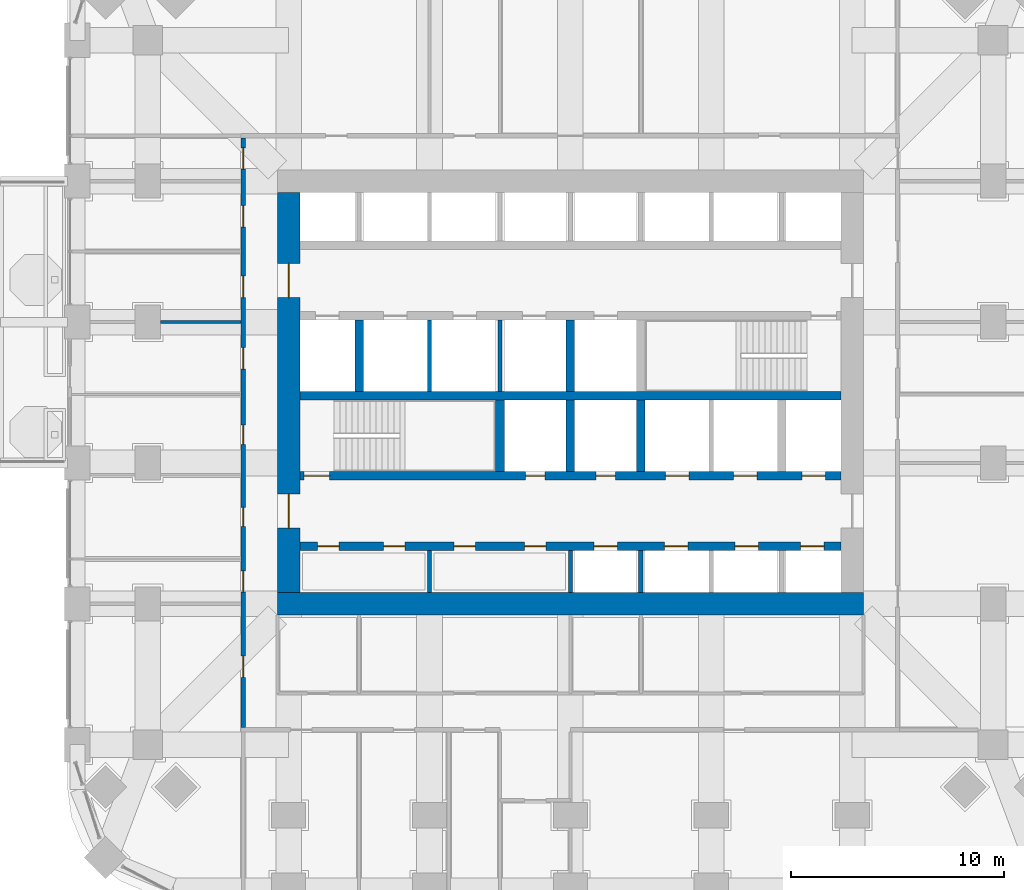
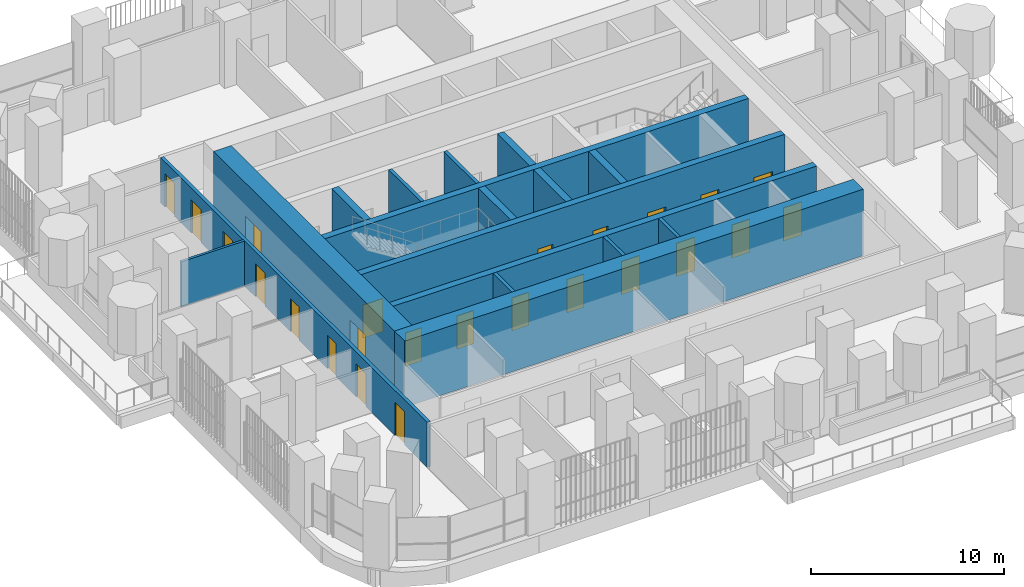
# One storey, part 14 of 21: 24 doors, 17 walls, 24 openings.
"""IFC4 building model written with IfcOpenShell, lengths in metres."""

import ifcopenshell
import ifcopenshell.guid

model = None  # the IFC model being written
_history = None  # IfcOwnerHistory: only IFC2X3 demands one
_inside = {}  # id of a spatial element -> (the spatial element, [elements in it])
_under = {}  # id of a project, library or spatial element -> (it, [spatial elements below it])
_declared = {}  # id of a project -> (the project, [libraries it declares])
_typed = {}  # id of a type object -> (the type object, [elements of that type])
_made_of = {}  # id of a material, layer set ... -> (it, [elements and type objects made of it])


def new_model(schema):
    """Start an empty IFC model of exactly this schema.

    Asked for "IFC4X3", IfcOpenShell would pick the latest addendum, in which some entities
    have other attributes; the version numbers below select the first issue.
    IFC2X3 requires an IfcOwnerHistory on every rooted entity: one is made here for all.
    """
    global model, _history
    if schema == "IFC4X3":
        model = ifcopenshell.file(schema_version=(4, 3, 0, 0))
    else:
        model = ifcopenshell.file(schema=schema)
    _inside.clear()
    _under.clear()
    _declared.clear()
    _typed.clear()
    _made_of.clear()
    _history = None
    if model.schema == "IFC2X3":
        org = make("IfcOrganization", Name="unknown")
        user = make(
            "IfcPersonAndOrganization",
            ThePerson=make("IfcPerson", FamilyName="unknown"),
            TheOrganization=org,
        )
        app = make(
            "IfcApplication",
            ApplicationDeveloper=org,
            Version="unknown",
            ApplicationFullName="unknown",
            ApplicationIdentifier="unknown",
        )
        _history = make(
            "IfcOwnerHistory",
            OwningUser=user,
            OwningApplication=app,
            ChangeAction="ADDED",
            CreationDate=0,
        )
    return model


def make(cls, **values):
    """One entity of the class cls with the attributes given. An attribute that is None is left unset."""
    return model.create_entity(
        cls, **{name: value for name, value in values.items() if value is not None}
    )


def rooted(cls, **values):
    """An entity with a GlobalId (a new one), such as an element, a storey or a relation."""
    return make(cls, GlobalId=ifcopenshell.guid.new(), OwnerHistory=_history, **values)


def si_unit(unit_type, name, prefix=None):
    """IfcSIUnit, for example si_unit("LENGTHUNIT", "METRE", prefix="MILLI")."""
    return make("IfcSIUnit", UnitType=unit_type, Prefix=prefix, Name=name)


def assignment(units):
    """IfcUnitAssignment: the units of a project."""
    return None if units is None else make("IfcUnitAssignment", Units=units)


def point(xyz):
    """IfcCartesianPoint."""
    return None if xyz is None else make("IfcCartesianPoint", Coordinates=xyz)


def direction(xyz):
    """IfcDirection."""
    return None if xyz is None else make("IfcDirection", DirectionRatios=xyz)


def frame(location, z_axis=None, x_axis=None):
    """IfcAxis2Placement3D, a coordinate frame: its origin and axes. An axis left out is left unset."""
    return make(
        "IfcAxis2Placement3D",
        Location=point(location),
        Axis=direction(z_axis),
        RefDirection=direction(x_axis),
    )


def frame_2d(location, x_axis=None):
    """IfcAxis2Placement2D, a coordinate frame in the plane: its origin and x axis."""
    return make(
        "IfcAxis2Placement2D", Location=point(location), RefDirection=direction(x_axis)
    )


def origin():
    """The frame at (0, 0, 0) with its axes left unset."""
    return frame((0.0, 0.0, 0.0))


def place(relative_to, where):
    """IfcLocalPlacement: puts the frame where relative to a parent placement (None: the world)."""
    return make(
        "IfcLocalPlacement", PlacementRelTo=relative_to, RelativePlacement=where
    )


def context(
    kind, dimensions, precision=None, world=None, true_north=None, identifier=None
):
    """IfcGeometricRepresentationContext, for example the 3D "Model" context."""
    return make(
        "IfcGeometricRepresentationContext",
        ContextIdentifier=identifier,
        ContextType=kind,
        CoordinateSpaceDimension=dimensions,
        Precision=precision,
        WorldCoordinateSystem=world,
        TrueNorth=true_north,
    )


def subcontext(parent, identifier, kind, view, scale=None):
    """IfcGeometricRepresentationSubContext, for example "Body" below "Model"."""
    return make(
        "IfcGeometricRepresentationSubContext",
        ContextIdentifier=identifier,
        ContextType=kind,
        ParentContext=parent,
        TargetScale=scale,
        TargetView=view,
    )


def project(units=None, contexts=None):
    """IfcProject with its units and contexts."""
    return rooted(
        "IfcProject",
        Name="project",
        RepresentationContexts=contexts,
        UnitsInContext=assignment(units),
    )


def spatial(cls, under=None, at=None, **own):
    """A site, building, storey or space (cls), placed at a placement, below another one or the project."""
    s = rooted(cls, ObjectPlacement=at, **own)
    if under is not None:
        _under.setdefault(under.id(), (under, []))[1].append(s)
    return s


def profile(cls, at=None, kind="AREA", **sizes):
    """A parametric profile (cls). Its sizes go by their IFC names, for example OverallWidth=200.0."""
    return make(cls, ProfileType=kind, Position=at, **sizes)


def rectangle(**sizes):
    """IfcRectangleProfileDef."""
    return profile("IfcRectangleProfileDef", **sizes)


def extrude(swept, where, along, depth):
    """IfcExtrudedAreaSolid: the profile swept, set in the frame where, extruded along a direction by depth."""
    return make(
        "IfcExtrudedAreaSolid",
        SweptArea=swept,
        Position=where,
        ExtrudedDirection=direction(along),
        Depth=depth,
    )


def shape(context_of_items, identifier, shape_type, items):
    """IfcShapeRepresentation: the items that make up one representation, for example the "Body"."""
    return make(
        "IfcShapeRepresentation",
        ContextOfItems=context_of_items,
        RepresentationIdentifier=identifier,
        RepresentationType=shape_type,
        Items=items,
    )


def material(Name=None, Category=None):
    """IfcMaterial."""
    return make("IfcMaterial", Name=Name, Category=Category)


def layer(
    of_material, thickness, ventilated=None, Name=None, Category=None, Priority=None
):
    """IfcMaterialLayer: one layer of a wall or slab, of a material (None: an air gap)."""
    return make(
        "IfcMaterialLayer",
        Material=of_material,
        LayerThickness=thickness,
        IsVentilated=ventilated,
        Name=Name,
        Category=Category,
        Priority=Priority,
    )


def layer_set(layers, Name=None):
    """IfcMaterialLayerSet."""
    return make("IfcMaterialLayerSet", MaterialLayers=layers, LayerSetName=Name)


def made_of(thing, what):
    """Note that an element or type object is made of a material, layer set ...; save() writes the relation."""
    if what is not None:
        _made_of.setdefault(what.id(), (what, []))[1].append(thing)
    return thing


def type_object(cls, material=None, **own):
    """A type object (cls), such as IfcWallType, which elements share."""
    return made_of(rooted(cls, **own), material)


def element(
    cls,
    number,
    at=None,
    inside=None,
    cuts=None,
    type_object=None,
    material=None,
    context=None,
    identifier="Body",
    shape_type=None,
    held_by="IfcProductDefinitionShape",
    body=None,
    shapes=None,
    **own,
):
    """One element of the class cls, such as IfcWall. Its Tag is "e" and its number.

    at: its placement. inside: the storey or other place that contains it. cuts: it is an
    opening in that element (IfcRelVoidsElement). A single representation is given by context,
    identifier, shape_type and body (its items); several are given by shapes. held_by: the class
    of the entity that holds the representations. save() writes the other relations.
    """
    e = rooted(cls, Tag="e%d" % number, ObjectPlacement=at, **own)
    if body is not None:
        shapes = [shape(context, identifier, shape_type, body)]
    if shapes is not None:
        e.Representation = make(held_by, Representations=shapes)
    if inside is not None:
        _inside.setdefault(inside.id(), (inside, []))[1].append(e)
    if cuts is not None:
        rooted(
            "IfcRelVoidsElement", RelatingBuildingElement=cuts, RelatedOpeningElement=e
        )
    if type_object is not None:
        _typed.setdefault(type_object.id(), (type_object, []))[1].append(e)
    return made_of(e, material)


def fill(opening, filler):
    """IfcRelFillsElement: the door or window that sits in an opening."""
    return rooted(
        "IfcRelFillsElement",
        RelatingOpeningElement=opening,
        RelatedBuildingElement=filler,
    )


def aggregate(whole, parts):
    """IfcRelAggregates: a whole, such as a stair, and the parts it consists of."""
    return rooted("IfcRelAggregates", RelatingObject=whole, RelatedObjects=parts)


def save(model, path):
    """Write the relations noted so far, then the file.

    IfcRelAggregates (storeys below a building ...), IfcRelContainedInSpatialStructure (elements
    in a storey), IfcRelDefinesByType, IfcRelAssociatesMaterial and IfcRelDeclares: one each for
    every whole, place, type object, material and project.
    """
    for whole, parts in _under.values():
        aggregate(whole, parts)
    for where, things in _inside.values():
        rooted(
            "IfcRelContainedInSpatialStructure",
            RelatedElements=things,
            RelatingStructure=where,
        )
    for kind, things in _typed.values():
        rooted("IfcRelDefinesByType", RelatedObjects=things, RelatingType=kind)
    for what, things in _made_of.values():
        rooted("IfcRelAssociatesMaterial", RelatedObjects=things, RelatingMaterial=what)
    for by, libraries in _declared.values():
        rooted("IfcRelDeclares", RelatingContext=by, RelatedDefinitions=libraries)
    model.write(path)


model = new_model("IFC4")

# Units and contexts
model_context = context("Model", 3, precision=1e-05, world=origin(), true_north=direction((0.0, 1.0)))
body_context = subcontext(model_context, "Body", "Model", "MODEL_VIEW")
ifc_project = project(units=[si_unit("LENGTHUNIT", "METRE"), si_unit("AREAUNIT", "SQUARE_METRE"), si_unit("VOLUMEUNIT", "CUBIC_METRE"), si_unit("PLANEANGLEUNIT", "RADIAN"), si_unit("MASSUNIT", "GRAM", prefix="KILO")], contexts=[model_context])

# Site, building, storey
site_placement = place(None, origin())
site = spatial("IfcSite", under=ifc_project, at=site_placement, CompositionType="ELEMENT")
building_placement = place(site_placement, origin())
building = spatial("IfcBuilding", under=site, at=building_placement, Name="Cobogo Forest Laboratory Tower", CompositionType="ELEMENT")
storey_placement = place(building_placement, frame((0.0, 0.0, 86.39990234375)))
storey = spatial("IfcBuildingStorey", under=building, at=storey_placement, Name="L19", CompositionType="ELEMENT", Elevation=86.39990234375)

# Wall, openings, doors
ifc_material_1 = material(Name="Concrete HA-50 (C50/60)", Category="concrete")
ifc_layer_1 = layer(ifc_material_1, 0.39990234375)
ifc_layer_set_1 = layer_set([ifc_layer_1], Name="CI400 core inner wall 400")
wall_type_1 = type_object("IfcWallType", Name="CI400 core inner wall 400", PredefinedType="SHEAR", material=ifc_layer_set_1)
wall_1_placement = place(storey_placement, frame((13.72509765625, 15.89990234375, 0.0), z_axis=(0.0, 0.0, 1.0), x_axis=(1.0, 0.0, 0.0)))
wall_1 = element("IfcWall", 1, at=wall_1_placement, inside=storey, type_object=wall_type_1, Name="Core wall CI-15.9 L19", PredefinedType="SHEAR", context=body_context, shape_type="SweptSolid", body=[
    extrude(rectangle(XDim=25.349853515625, YDim=0.39990234375, at=frame_2d((12.6748046875, 0.0))), origin(), (0.0, 0.0, 1.0), 4.2001953125),
])
opening_1_placement = place(wall_1_placement, frame((0.83740234375, 0.0, 0.0)))
opening_1 = element("IfcOpeningElement", 2, at=opening_1_placement, cuts=wall_1, Name="Opening L19-D14", PredefinedType="OPENING", context=body_context, shape_type="SweptSolid", body=[
    extrude(rectangle(XDim=1.0, YDim=2.10009765625, at=frame_2d((0.5, 1.050048828125))), frame((0.0, 0.2099609375, 0.0), z_axis=(0.0, -1.0, 0.0), x_axis=(1.0, 0.0, 0.0)), (0.0, 0.0, 1.0), 0.419921875),
])
opening_2_placement = place(wall_1_placement, frame((3.925048828125, 0.0, 0.0)))
opening_2 = element("IfcOpeningElement", 3, at=opening_2_placement, cuts=wall_1, Name="Opening L19-D15", PredefinedType="OPENING", context=body_context, shape_type="SweptSolid", body=[
    extrude(rectangle(XDim=1.0, YDim=2.10009765625, at=frame_2d((0.5, 1.050048828125))), frame((0.0, 0.2099609375, 0.0), z_axis=(0.0, -1.0, 0.0), x_axis=(1.0, 0.0, 0.0)), (0.0, 0.0, 1.0), 0.419921875),
])
opening_3_placement = place(wall_1_placement, frame((7.22509765625, 0.0, 0.0)))
opening_3 = element("IfcOpeningElement", 4, at=opening_3_placement, cuts=wall_1, Name="Opening L19-D16", PredefinedType="OPENING", context=body_context, shape_type="SweptSolid", body=[
    extrude(rectangle(XDim=1.0, YDim=2.10009765625, at=frame_2d((0.5, 1.050048828125))), frame((0.0, 0.2099609375, 0.0), z_axis=(0.0, -1.0, 0.0), x_axis=(1.0, 0.0, 0.0)), (0.0, 0.0, 1.0), 0.419921875),
])
opening_4_placement = place(wall_1_placement, frame((10.52490234375, 0.0, 0.0)))
opening_4 = element("IfcOpeningElement", 5, at=opening_4_placement, cuts=wall_1, Name="Opening L19-D17", PredefinedType="OPENING", context=body_context, shape_type="SweptSolid", body=[
    extrude(rectangle(XDim=1.0, YDim=2.10009765625, at=frame_2d((0.5, 1.050048828125))), frame((0.0, 0.2099609375, 0.0), z_axis=(0.0, -1.0, 0.0), x_axis=(1.0, 0.0, 0.0)), (0.0, 0.0, 1.0), 0.419921875),
])
opening_5_placement = place(wall_1_placement, frame((13.77490234375, 0.0, 0.0)))
opening_5 = element("IfcOpeningElement", 6, at=opening_5_placement, cuts=wall_1, Name="Opening L19-LD-LB1", PredefinedType="OPENING", context=body_context, shape_type="SweptSolid", body=[
    extrude(rectangle(XDim=1.10009765625, YDim=2.10009765625, at=frame_2d((0.550048828125, 1.050048828125))), frame((0.0, 0.2099609375, 0.0), z_axis=(0.0, -1.0, 0.0), x_axis=(1.0, 0.0, 0.0)), (0.0, 0.0, 1.0), 0.419921875),
])
opening_6_placement = place(wall_1_placement, frame((17.074951171875, 0.0, 0.0)))
opening_6 = element("IfcOpeningElement", 7, at=opening_6_placement, cuts=wall_1, Name="Opening L19-LD-LB2", PredefinedType="OPENING", context=body_context, shape_type="SweptSolid", body=[
    extrude(rectangle(XDim=1.10009765625, YDim=2.10009765625, at=frame_2d((0.550048828125, 1.050048828125))), frame((0.0, 0.2099609375, 0.0), z_axis=(0.0, -1.0, 0.0), x_axis=(1.0, 0.0, 0.0)), (0.0, 0.0, 1.0), 0.419921875),
])
opening_7_placement = place(wall_1_placement, frame((20.375, 0.0, 0.0)))
opening_7 = element("IfcOpeningElement", 8, at=opening_7_placement, cuts=wall_1, Name="Opening L19-LD-LB3", PredefinedType="OPENING", context=body_context, shape_type="SweptSolid", body=[
    extrude(rectangle(XDim=1.10009765625, YDim=2.10009765625, at=frame_2d((0.550048828125, 1.050048828125))), frame((0.0, 0.2099609375, 0.0), z_axis=(0.0, -1.0, 0.0), x_axis=(1.0, 0.0, 0.0)), (0.0, 0.0, 1.0), 0.419921875),
])
opening_8_placement = place(wall_1_placement, frame((23.46240234375, 0.0, 0.0)))
opening_8 = element("IfcOpeningElement", 9, at=opening_8_placement, cuts=wall_1, Name="Opening L19-LD-LB4", PredefinedType="OPENING", context=body_context, shape_type="SweptSolid", body=[
    extrude(rectangle(XDim=1.10009765625, YDim=2.10009765625, at=frame_2d((0.550048828125, 1.050048828125))), frame((0.0, 0.2099609375, 0.0), z_axis=(0.0, -1.0, 0.0), x_axis=(1.0, 0.0, 0.0)), (0.0, 0.0, 1.0), 0.419921875),
])
ifc_material_2 = material(Name="Steel fire door", Category="steel")
door_type_1 = type_object("IfcDoorType", Name="FD1 fire door 1000 EI2 60", OperationType="SINGLE_SWING_LEFT", PredefinedType="DOOR", material=ifc_material_2)
door_1_placement = place(opening_1_placement, origin())
door_1 = element("IfcDoor", 10, at=door_1_placement, inside=storey, type_object=door_type_1, Name="Door L19-SH-LA1", OperationType="SINGLE_SWING_LEFT", OverallHeight=2.10009765625, OverallWidth=1.0, PredefinedType="DOOR", context=body_context, shape_type="SweptSolid", body=[
    extrude(rectangle(XDim=1.0, YDim=2.10009765625, at=frame_2d((0.5, 1.050048828125))), frame((0.0, 0.02490234375, 0.0), z_axis=(0.0, -1.0, 0.0), x_axis=(1.0, 0.0, 0.0)), (0.0, 0.0, 1.0), 0.050048828125),
])
fill(opening_1, door_1)
door_2_placement = place(opening_2_placement, origin())
door_2 = element("IfcDoor", 11, at=door_2_placement, inside=storey, type_object=door_type_1, Name="Door L19-SH-LA2", OperationType="SINGLE_SWING_LEFT", OverallHeight=2.10009765625, OverallWidth=1.0, PredefinedType="DOOR", context=body_context, shape_type="SweptSolid", body=[
    extrude(rectangle(XDim=1.0, YDim=2.10009765625, at=frame_2d((0.5, 1.050048828125))), frame((0.0, 0.02490234375, 0.0), z_axis=(0.0, -1.0, 0.0), x_axis=(1.0, 0.0, 0.0)), (0.0, 0.0, 1.0), 0.050048828125),
])
fill(opening_2, door_2)
door_3_placement = place(opening_3_placement, origin())
door_3 = element("IfcDoor", 12, at=door_3_placement, inside=storey, type_object=door_type_1, Name="Door L19-SH-LA3", OperationType="SINGLE_SWING_LEFT", OverallHeight=2.10009765625, OverallWidth=1.0, PredefinedType="DOOR", context=body_context, shape_type="SweptSolid", body=[
    extrude(rectangle(XDim=1.0, YDim=2.10009765625, at=frame_2d((0.5, 1.050048828125))), frame((0.0, 0.02490234375, 0.0), z_axis=(0.0, -1.0, 0.0), x_axis=(1.0, 0.0, 0.0)), (0.0, 0.0, 1.0), 0.050048828125),
])
fill(opening_3, door_3)
door_4_placement = place(opening_4_placement, origin())
door_4 = element("IfcDoor", 13, at=door_4_placement, inside=storey, type_object=door_type_1, Name="Door L19-SH-LA4", OperationType="SINGLE_SWING_LEFT", OverallHeight=2.10009765625, OverallWidth=1.0, PredefinedType="DOOR", context=body_context, shape_type="SweptSolid", body=[
    extrude(rectangle(XDim=1.0, YDim=2.10009765625, at=frame_2d((0.5, 1.050048828125))), frame((0.0, 0.02490234375, 0.0), z_axis=(0.0, -1.0, 0.0), x_axis=(1.0, 0.0, 0.0)), (0.0, 0.0, 1.0), 0.050048828125),
])
fill(opening_4, door_4)
ifc_material_3 = material(Name="Stainless steel lift door", Category="steel")
door_type_2 = type_object("IfcDoorType", Name="LD lift landing door 1100", OperationType="DOUBLE_DOOR_SLIDING", PredefinedType="DOOR", material=ifc_material_3)
door_5_placement = place(opening_5_placement, origin())
door_5 = element("IfcDoor", 14, at=door_5_placement, inside=storey, type_object=door_type_2, Name="Lift landing door LB1 L19", OperationType="DOUBLE_DOOR_SLIDING", OverallHeight=2.10009765625, OverallWidth=1.10009765625, PredefinedType="DOOR", context=body_context, shape_type="SweptSolid", body=[
    extrude(rectangle(XDim=1.10009765625, YDim=2.10009765625, at=frame_2d((0.550048828125, 1.050048828125))), frame((0.0, 0.02490234375, 0.0), z_axis=(0.0, -1.0, 0.0), x_axis=(1.0, 0.0, 0.0)), (0.0, 0.0, 1.0), 0.050048828125),
])
fill(opening_5, door_5)
door_6_placement = place(opening_6_placement, origin())
door_6 = element("IfcDoor", 15, at=door_6_placement, inside=storey, type_object=door_type_2, Name="Lift landing door LB2 L19", OperationType="DOUBLE_DOOR_SLIDING", OverallHeight=2.10009765625, OverallWidth=1.10009765625, PredefinedType="DOOR", context=body_context, shape_type="SweptSolid", body=[
    extrude(rectangle(XDim=1.10009765625, YDim=2.10009765625, at=frame_2d((0.550048828125, 1.050048828125))), frame((0.0, 0.02490234375, 0.0), z_axis=(0.0, -1.0, 0.0), x_axis=(1.0, 0.0, 0.0)), (0.0, 0.0, 1.0), 0.050048828125),
])
fill(opening_6, door_6)
door_7_placement = place(opening_7_placement, origin())
door_7 = element("IfcDoor", 16, at=door_7_placement, inside=storey, type_object=door_type_2, Name="Lift landing door LB3 L19", OperationType="DOUBLE_DOOR_SLIDING", OverallHeight=2.10009765625, OverallWidth=1.10009765625, PredefinedType="DOOR", context=body_context, shape_type="SweptSolid", body=[
    extrude(rectangle(XDim=1.10009765625, YDim=2.10009765625, at=frame_2d((0.550048828125, 1.050048828125))), frame((0.0, 0.02490234375, 0.0), z_axis=(0.0, -1.0, 0.0), x_axis=(1.0, 0.0, 0.0)), (0.0, 0.0, 1.0), 0.050048828125),
])
fill(opening_7, door_7)
door_8_placement = place(opening_8_placement, origin())
door_8 = element("IfcDoor", 17, at=door_8_placement, inside=storey, type_object=door_type_2, Name="Lift landing door LB4 L19", OperationType="DOUBLE_DOOR_SLIDING", OverallHeight=2.10009765625, OverallWidth=1.10009765625, PredefinedType="DOOR", context=body_context, shape_type="SweptSolid", body=[
    extrude(rectangle(XDim=1.10009765625, YDim=2.10009765625, at=frame_2d((0.550048828125, 1.050048828125))), frame((0.0, 0.02490234375, 0.0), z_axis=(0.0, -1.0, 0.0), x_axis=(1.0, 0.0, 0.0)), (0.0, 0.0, 1.0), 0.050048828125),
])
fill(opening_8, door_8)

wall_2_placement = place(storey_placement, frame((13.72509765625, 19.199951171875, 0.0), z_axis=(0.0, 0.0, 1.0), x_axis=(1.0, 0.0, 0.0)))
wall_2 = element("IfcWall", 18, at=wall_2_placement, inside=storey, type_object=wall_type_1, Name="Core wall CI-19.2 L19", PredefinedType="SHEAR", context=body_context, shape_type="SweptSolid", body=[
    extrude(rectangle(XDim=25.349853515625, YDim=0.39990234375, at=frame_2d((12.6748046875, 0.0))), origin(), (0.0, 0.0, 1.0), 4.2001953125),
])
opening_9_placement = place(wall_2_placement, frame((10.574951171875, 0.0, 0.0)))
opening_9 = element("IfcOpeningElement", 19, at=opening_9_placement, cuts=wall_2, Name="Opening L19-D22", PredefinedType="OPENING", context=body_context, shape_type="SweptSolid", body=[
    extrude(rectangle(XDim=0.89990234375, YDim=2.10009765625, at=frame_2d((0.449951171875, 1.050048828125))), frame((0.0, 0.2099609375, 0.0), z_axis=(0.0, -1.0, 0.0), x_axis=(1.0, 0.0, 0.0)), (0.0, 0.0, 1.0), 0.419921875),
])
opening_10_placement = place(wall_2_placement, frame((13.875, 0.0, 0.0)))
opening_10 = element("IfcOpeningElement", 20, at=opening_10_placement, cuts=wall_2, Name="Opening L19-D23", PredefinedType="OPENING", context=body_context, shape_type="SweptSolid", body=[
    extrude(rectangle(XDim=0.89990234375, YDim=2.10009765625, at=frame_2d((0.449951171875, 1.050048828125))), frame((0.0, 0.2099609375, 0.0), z_axis=(0.0, -1.0, 0.0), x_axis=(1.0, 0.0, 0.0)), (0.0, 0.0, 1.0), 0.419921875),
])
opening_11_placement = place(wall_2_placement, frame((0.199951171875, 0.0, 0.0)))
opening_11 = element("IfcOpeningElement", 21, at=opening_11_placement, cuts=wall_2, Name="Opening L19-D21", PredefinedType="OPENING", context=body_context, shape_type="SweptSolid", body=[
    extrude(rectangle(XDim=1.199951171875, YDim=2.10009765625, at=frame_2d((0.60009765625, 1.050048828125))), frame((0.0, 0.2099609375, 0.0), z_axis=(0.0, -1.0, 0.0), x_axis=(1.0, 0.0, 0.0)), (0.0, 0.0, 1.0), 0.419921875),
])
opening_12_placement = place(wall_2_placement, frame((23.512451171875, 0.0, 0.0)))
opening_12 = element("IfcOpeningElement", 22, at=opening_12_placement, cuts=wall_2, Name="Opening L19-LD-FL2", PredefinedType="OPENING", context=body_context, shape_type="SweptSolid", body=[
    extrude(rectangle(XDim=1.10009765625, YDim=2.10009765625, at=frame_2d((0.550048828125, 1.050048828125))), frame((0.0, 0.2099609375, 0.0), z_axis=(0.0, -1.0, 0.0), x_axis=(1.0, 0.0, 0.0)), (0.0, 0.0, 1.0), 0.419921875),
])
opening_13_placement = place(wall_2_placement, frame((17.125, 0.0, 0.0)))
opening_13 = element("IfcOpeningElement", 23, at=opening_13_placement, cuts=wall_2, Name="Opening L19-LD-LS1", PredefinedType="OPENING", context=body_context, shape_type="SweptSolid", body=[
    extrude(rectangle(XDim=1.10009765625, YDim=2.10009765625, at=frame_2d((0.550048828125, 1.050048828125))), frame((0.0, 0.2099609375, 0.0), z_axis=(0.0, -1.0, 0.0), x_axis=(1.0, 0.0, 0.0)), (0.0, 0.0, 1.0), 0.419921875),
])
opening_14_placement = place(wall_2_placement, frame((20.324951171875, 0.0, 0.0)))
opening_14 = element("IfcOpeningElement", 24, at=opening_14_placement, cuts=wall_2, Name="Opening L19-LD-LS2", PredefinedType="OPENING", context=body_context, shape_type="SweptSolid", body=[
    extrude(rectangle(XDim=1.10009765625, YDim=2.10009765625, at=frame_2d((0.550048828125, 1.050048828125))), frame((0.0, 0.2099609375, 0.0), z_axis=(0.0, -1.0, 0.0), x_axis=(1.0, 0.0, 0.0)), (0.0, 0.0, 1.0), 0.419921875),
])
door_type_3 = type_object("IfcDoorType", Name="DS1 protected stair door 1200 EI2 60", OperationType="SINGLE_SWING_LEFT", PredefinedType="DOOR", material=ifc_material_2)
door_9_placement = place(opening_11_placement, origin())
door_9 = element("IfcDoor", 25, at=door_9_placement, inside=storey, type_object=door_type_3, Name="Door L19-ST1", OperationType="SINGLE_SWING_LEFT", OverallHeight=2.10009765625, OverallWidth=1.199951171875, PredefinedType="DOOR", context=body_context, shape_type="SweptSolid", body=[
    extrude(rectangle(XDim=1.199951171875, YDim=2.10009765625, at=frame_2d((0.60009765625, 1.050048828125))), frame((0.0, 0.02490234375, 0.0), z_axis=(0.0, -1.0, 0.0), x_axis=(1.0, 0.0, 0.0)), (0.0, 0.0, 1.0), 0.050048828125),
])
fill(opening_11, door_9)
door_type_4 = type_object("IfcDoorType", Name="FD4 riser access door 900 EI2 60", OperationType="SINGLE_SWING_LEFT", PredefinedType="DOOR", material=ifc_material_2)
door_10_placement = place(opening_9_placement, origin())
door_10 = element("IfcDoor", 26, at=door_10_placement, inside=storey, type_object=door_type_4, Name="Door L19-R1", OperationType="SINGLE_SWING_LEFT", OverallHeight=2.10009765625, OverallWidth=0.89990234375, PredefinedType="DOOR", context=body_context, shape_type="SweptSolid", body=[
    extrude(rectangle(XDim=0.89990234375, YDim=2.10009765625, at=frame_2d((0.449951171875, 1.050048828125))), frame((0.0, 0.02490234375, 0.0), z_axis=(0.0, -1.0, 0.0), x_axis=(1.0, 0.0, 0.0)), (0.0, 0.0, 1.0), 0.050048828125),
])
fill(opening_9, door_10)
door_11_placement = place(opening_10_placement, origin())
door_11 = element("IfcDoor", 27, at=door_11_placement, inside=storey, type_object=door_type_4, Name="Door L19-R2", OperationType="SINGLE_SWING_RIGHT", OverallHeight=2.10009765625, OverallWidth=0.89990234375, PredefinedType="DOOR", context=body_context, shape_type="SweptSolid", body=[
    extrude(rectangle(XDim=0.89990234375, YDim=2.10009765625, at=frame_2d((0.449951171875, 1.050048828125))), frame((0.0, 0.02490234375, 0.0), z_axis=(0.0, -1.0, 0.0), x_axis=(1.0, 0.0, 0.0)), (0.0, 0.0, 1.0), 0.050048828125),
])
fill(opening_10, door_11)
door_12_placement = place(opening_12_placement, origin())
door_12 = element("IfcDoor", 28, at=door_12_placement, inside=storey, type_object=door_type_2, Name="Lift landing door FL2 L19", OperationType="DOUBLE_DOOR_SLIDING", OverallHeight=2.10009765625, OverallWidth=1.10009765625, PredefinedType="DOOR", context=body_context, shape_type="SweptSolid", body=[
    extrude(rectangle(XDim=1.10009765625, YDim=2.10009765625, at=frame_2d((0.550048828125, 1.050048828125))), frame((0.0, 0.02490234375, 0.0), z_axis=(0.0, -1.0, 0.0), x_axis=(1.0, 0.0, 0.0)), (0.0, 0.0, 1.0), 0.050048828125),
])
fill(opening_12, door_12)
door_13_placement = place(opening_13_placement, origin())
door_13 = element("IfcDoor", 29, at=door_13_placement, inside=storey, type_object=door_type_2, Name="Lift landing door LS1 L19", OperationType="DOUBLE_DOOR_SLIDING", OverallHeight=2.10009765625, OverallWidth=1.10009765625, PredefinedType="DOOR", context=body_context, shape_type="SweptSolid", body=[
    extrude(rectangle(XDim=1.10009765625, YDim=2.10009765625, at=frame_2d((0.550048828125, 1.050048828125))), frame((0.0, 0.02490234375, 0.0), z_axis=(0.0, -1.0, 0.0), x_axis=(1.0, 0.0, 0.0)), (0.0, 0.0, 1.0), 0.050048828125),
])
fill(opening_13, door_13)
door_14_placement = place(opening_14_placement, origin())
door_14 = element("IfcDoor", 30, at=door_14_placement, inside=storey, type_object=door_type_2, Name="Lift landing door LS2 L19", OperationType="DOUBLE_DOOR_SLIDING", OverallHeight=2.10009765625, OverallWidth=1.10009765625, PredefinedType="DOOR", context=body_context, shape_type="SweptSolid", body=[
    extrude(rectangle(XDim=1.10009765625, YDim=2.10009765625, at=frame_2d((0.550048828125, 1.050048828125))), frame((0.0, 0.02490234375, 0.0), z_axis=(0.0, -1.0, 0.0), x_axis=(1.0, 0.0, 0.0)), (0.0, 0.0, 1.0), 0.050048828125),
])
fill(opening_14, door_14)

# Walls
wall_3_placement = place(storey_placement, frame((13.72509765625, 22.949951171875, 0.0), z_axis=(0.0, 0.0, 1.0), x_axis=(1.0, 0.0, 0.0)))
element("IfcWall", 31, at=wall_3_placement, inside=storey, type_object=wall_type_1, Name="Core wall CI-22.95 L19", PredefinedType="SHEAR", context=body_context, shape_type="SweptSolid", body=[
    extrude(rectangle(XDim=25.349853515625, YDim=0.39990234375, at=frame_2d((12.6748046875, 0.0))), origin(), (0.0, 0.0, 1.0), 4.2001953125),
])
for number, where, z_axis, x_axis, name in (
    (32, (23.10009765625, 19.39990234375, 0.0), (0.0, 0.0, 1.0), (0.0, 1.0, 0.0), "Core wall CX-23.1 L19"),
    (33, (26.39990234375, 19.39990234375, 0.0), (0.0, 0.0, 1.0), (0.0, 1.0, 0.0), "Core wall CX-26.4S L19"),
    (34, (29.699951171875, 19.39990234375, 0.0), (0.0, 0.0, 1.0), (0.0, 1.0, 0.0), "Core wall CX-29.7S L19"),
    (35, (16.5, 23.14990234375, 0.0), (0.0, 0.0, 1.0), (0.0, 1.0, 0.0), "Core wall CX-16.5 L19"),
    (36, (26.39990234375, 23.14990234375, 0.0), (0.0, 0.0, 1.0), (0.0, 1.0, 0.0), "Core wall CX-26.4N L19"),
):
    element("IfcWall", number, at=place(storey_placement, frame(where, z_axis=z_axis, x_axis=x_axis)), inside=storey, type_object=wall_type_1, Name=name, PredefinedType="SHEAR", context=body_context, shape_type="SweptSolid", body=[
        extrude(rectangle(XDim=3.35009765625, YDim=0.39990234375, at=frame_2d((1.675048828125, 0.0))), origin(), (0.0, 0.0, 1.0), 4.2001953125),
    ])
ifc_layer_2 = layer(ifc_material_1, 1.050048828125)
ifc_layer_set_2 = layer_set([ifc_layer_2], Name="CW1050 core outer wall 1050")
wall_type_2 = type_object("IfcWallType", Name="CW1050 core outer wall 1050", PredefinedType="SHEAR", material=ifc_layer_set_2)
wall_4_placement = place(storey_placement, frame((12.675048828125, 13.199951171875, 0.0), z_axis=(0.0, 0.0, 1.0), x_axis=(1.0, 0.0, 0.0)))
element("IfcWall", 37, at=wall_4_placement, inside=storey, type_object=wall_type_2, Name="Core wall CO-S L19", PredefinedType="SHEAR", context=body_context, shape_type="SweptSolid", body=[
    extrude(rectangle(XDim=27.449951171875, YDim=1.050048828125, at=frame_2d((13.72509765625, 0.0))), origin(), (0.0, 0.0, 1.0), 4.2001953125),
])

# Wall, openings, doors
wall_5_placement = place(storey_placement, frame((13.199951171875, 32.47509765625, 0.0), z_axis=(0.0, 0.0, 1.0), x_axis=(0.0, -1.0, 0.0)))
wall_5 = element("IfcWall", 38, at=wall_5_placement, inside=storey, type_object=wall_type_2, Name="Core wall CO-W L19", PredefinedType="SHEAR", context=body_context, shape_type="SweptSolid", body=[
    extrude(rectangle(XDim=18.75, YDim=1.050048828125, at=frame_2d((9.375, 0.0))), origin(), (0.0, 0.0, 1.0), 4.2001953125),
])
opening_15_placement = place(wall_5_placement, frame((14.125, 0.0, 0.0)))
opening_15 = element("IfcOpeningElement", 39, at=opening_15_placement, cuts=wall_5, Name="Opening L19-D19", PredefinedType="OPENING", context=body_context, shape_type="SweptSolid", body=[
    extrude(rectangle(XDim=1.60009765625, YDim=2.10009765625, at=frame_2d((0.800048828125, 1.050048828125))), frame((0.0, 0.534912109375, 0.0), z_axis=(0.0, -1.0, 0.0), x_axis=(1.0, 0.0, 0.0)), (0.0, 0.0, 1.0), 1.070068359375),
])
opening_16_placement = place(wall_5_placement, frame((3.324951171875, 0.0, 0.0)))
opening_16 = element("IfcOpeningElement", 40, at=opening_16_placement, cuts=wall_5, Name="Opening L19-D32", PredefinedType="OPENING", context=body_context, shape_type="SweptSolid", body=[
    extrude(rectangle(XDim=1.60009765625, YDim=2.10009765625, at=frame_2d((0.800048828125, 1.050048828125))), frame((0.0, 0.534912109375, 0.0), z_axis=(0.0, -1.0, 0.0), x_axis=(1.0, 0.0, 0.0)), (0.0, 0.0, 1.0), 1.070068359375),
])
door_type_5 = type_object("IfcDoorType", Name="DS2 protected lobby door pair 1600 EI2 60", OperationType="DOUBLE_DOOR_DOUBLE_SWING", PredefinedType="DOOR", material=ifc_material_2)
door_15_placement = place(opening_15_placement, origin())
door_15 = element("IfcDoor", 41, at=door_15_placement, inside=storey, type_object=door_type_5, Name="Door L19-CO-W-S", OperationType="DOUBLE_DOOR_DOUBLE_SWING", OverallHeight=2.10009765625, OverallWidth=1.60009765625, PredefinedType="DOOR", context=body_context, shape_type="SweptSolid", body=[
    extrude(rectangle(XDim=1.60009765625, YDim=2.10009765625, at=frame_2d((0.800048828125, 1.050048828125))), frame((0.0, 0.02490234375, 0.0), z_axis=(0.0, -1.0, 0.0), x_axis=(1.0, 0.0, 0.0)), (0.0, 0.0, 1.0), 0.050048828125),
])
fill(opening_15, door_15)
door_16_placement = place(opening_16_placement, origin())
door_16 = element("IfcDoor", 42, at=door_16_placement, inside=storey, type_object=door_type_5, Name="Door L19-CO-W-N", OperationType="DOUBLE_DOOR_DOUBLE_SWING", OverallHeight=2.10009765625, OverallWidth=1.60009765625, PredefinedType="DOOR", context=body_context, shape_type="SweptSolid", body=[
    extrude(rectangle(XDim=1.60009765625, YDim=2.10009765625, at=frame_2d((0.800048828125, 1.050048828125))), frame((0.0, 0.02490234375, 0.0), z_axis=(0.0, -1.0, 0.0), x_axis=(1.0, 0.0, 0.0)), (0.0, 0.0, 1.0), 0.050048828125),
])
fill(opening_16, door_16)

# Wall
ifc_material_4 = material(Name="Gypsum board on steel studs", Category="steel")
ifc_layer_3 = layer(ifc_material_4, 0.14990234375)
ifc_layer_set_3 = layer_set([ifc_layer_3], Name="PT1 laboratory partition 150")
wall_type_3 = type_object("IfcWallType", Name="PT1 laboratory partition 150", PredefinedType="PARTITIONING", material=ifc_layer_set_3)
wall_6_placement = place(storey_placement, frame((7.199951171875, 26.39990234375, 0.0), z_axis=(0.0, 0.0, 1.0), x_axis=(1.0, 0.0, 0.0)))
element("IfcWall", 43, at=wall_6_placement, inside=storey, type_object=wall_type_3, Name="Partition CUT-W26.4-2 L19", PredefinedType="PARTITIONING", context=body_context, shape_type="SweptSolid", body=[
    extrude(rectangle(XDim=3.775146484375, YDim=0.14990234375, at=frame_2d((1.8876953125, 0.0))), origin(), (0.0, 0.0, 1.0), 2.85009765625),
])

# Wall, openings, doors
ifc_layer_4 = layer(ifc_material_4, 0.199951171875)
ifc_layer_set_4 = layer_set([ifc_layer_4], Name="PT2 fire-rated corridor partition 200")
wall_type_4 = type_object("IfcWallType", Name="PT2 fire-rated corridor partition 200", PredefinedType="PARTITIONING", material=ifc_layer_set_4)
wall_7_placement = place(storey_placement, frame((11.074951171875, 7.39990234375, 0.0), z_axis=(0.0, 0.0, 1.0), x_axis=(0.0, 1.0, 0.0)))
wall_7 = element("IfcWall", 44, at=wall_7_placement, inside=storey, type_object=wall_type_4, Name="Partition CORR-W L19", PredefinedType="PARTITIONING", context=body_context, shape_type="SweptSolid", body=[
    extrude(rectangle(XDim=27.625, YDim=0.199951171875, at=frame_2d((13.8125, 0.0))), origin(), (0.0, 0.0, 1.0), 2.85009765625),
])
opening_17_placement = place(wall_7_placement, frame((2.35009765625, 0.0, 0.0)))
opening_17 = element("IfcOpeningElement", 45, at=opening_17_placement, cuts=wall_7, Name="Opening L19-D11", PredefinedType="OPENING", context=body_context, shape_type="SweptSolid", body=[
    extrude(rectangle(XDim=1.0, YDim=2.10009765625, at=frame_2d((0.5, 1.050048828125))), frame((0.0, 0.10986328125, 0.0), z_axis=(0.0, -1.0, 0.0), x_axis=(1.0, 0.0, 0.0)), (0.0, 0.0, 1.0), 0.219970703125),
])
opening_18_placement = place(wall_7_placement, frame((6.35009765625, 0.0, 0.0)))
opening_18 = element("IfcOpeningElement", 46, at=opening_18_placement, cuts=wall_7, Name="Opening L19-D13", PredefinedType="OPENING", context=body_context, shape_type="SweptSolid", body=[
    extrude(rectangle(XDim=1.0, YDim=2.10009765625, at=frame_2d((0.5, 1.050048828125))), frame((0.0, 0.10986328125, 0.0), z_axis=(0.0, -1.0, 0.0), x_axis=(1.0, 0.0, 0.0)), (0.0, 0.0, 1.0), 0.219970703125),
])
opening_19_placement = place(wall_7_placement, frame((9.425048828125, 0.0, 0.0)))
opening_19 = element("IfcOpeningElement", 47, at=opening_19_placement, cuts=wall_7, Name="Opening L19-D18", PredefinedType="OPENING", context=body_context, shape_type="SweptSolid", body=[
    extrude(rectangle(XDim=0.89990234375, YDim=2.10009765625, at=frame_2d((0.449951171875, 1.050048828125))), frame((0.0, 0.10986328125, 0.0), z_axis=(0.0, -1.0, 0.0), x_axis=(1.0, 0.0, 0.0)), (0.0, 0.0, 1.0), 0.219970703125),
])
opening_20_placement = place(wall_7_placement, frame((13.27490234375, 0.0, 0.0)))
opening_20 = element("IfcOpeningElement", 48, at=opening_20_placement, cuts=wall_7, Name="Opening L19-D24", PredefinedType="OPENING", context=body_context, shape_type="SweptSolid", body=[
    extrude(rectangle(XDim=0.89990234375, YDim=2.10009765625, at=frame_2d((0.449951171875, 1.050048828125))), frame((0.0, 0.10986328125, 0.0), z_axis=(0.0, -1.0, 0.0), x_axis=(1.0, 0.0, 0.0)), (0.0, 0.0, 1.0), 0.219970703125),
])
opening_21_placement = place(wall_7_placement, frame((16.800048828125, 0.0, 0.0)))
opening_21 = element("IfcOpeningElement", 49, at=opening_21_placement, cuts=wall_7, Name="Opening L19-D28", PredefinedType="OPENING", context=body_context, shape_type="SweptSolid", body=[
    extrude(rectangle(XDim=1.0, YDim=2.10009765625, at=frame_2d((0.5, 1.050048828125))), frame((0.0, 0.10986328125, 0.0), z_axis=(0.0, -1.0, 0.0), x_axis=(1.0, 0.0, 0.0)), (0.0, 0.0, 1.0), 0.219970703125),
])
opening_22_placement = place(wall_7_placement, frame((20.14990234375, 0.0, 0.0)))
opening_22 = element("IfcOpeningElement", 50, at=opening_22_placement, cuts=wall_7, Name="Opening L19-D31", PredefinedType="OPENING", context=body_context, shape_type="SweptSolid", body=[
    extrude(rectangle(XDim=1.0, YDim=2.10009765625, at=frame_2d((0.5, 1.050048828125))), frame((0.0, 0.10986328125, 0.0), z_axis=(0.0, -1.0, 0.0), x_axis=(1.0, 0.0, 0.0)), (0.0, 0.0, 1.0), 0.219970703125),
])
opening_23_placement = place(wall_7_placement, frame((23.449951171875, 0.0, 0.0)))
opening_23 = element("IfcOpeningElement", 51, at=opening_23_placement, cuts=wall_7, Name="Opening L19-D35", PredefinedType="OPENING", context=body_context, shape_type="SweptSolid", body=[
    extrude(rectangle(XDim=1.0, YDim=2.10009765625, at=frame_2d((0.5, 1.050048828125))), frame((0.0, 0.10986328125, 0.0), z_axis=(0.0, -1.0, 0.0), x_axis=(1.0, 0.0, 0.0)), (0.0, 0.0, 1.0), 0.219970703125),
])
opening_24_placement = place(wall_7_placement, frame((26.16259765625, 0.0, 0.0)))
opening_24 = element("IfcOpeningElement", 52, at=opening_24_placement, cuts=wall_7, Name="Opening L19-D36", PredefinedType="OPENING", context=body_context, shape_type="SweptSolid", body=[
    extrude(rectangle(XDim=1.0, YDim=2.10009765625, at=frame_2d((0.5, 1.050048828125))), frame((0.0, 0.10986328125, 0.0), z_axis=(0.0, -1.0, 0.0), x_axis=(1.0, 0.0, 0.0)), (0.0, 0.0, 1.0), 0.219970703125),
])
ifc_material_5 = material(Name="Timber fire door", Category="wood")
door_type_6 = type_object("IfcDoorType", Name="FD2 fire door 1000 EI2 30", OperationType="SINGLE_SWING_LEFT", PredefinedType="DOOR", material=ifc_material_5)
door_17_placement = place(opening_17_placement, origin())
door_17 = element("IfcDoor", 53, at=door_17_placement, inside=storey, type_object=door_type_6, Name="Door L19-W1", OperationType="SINGLE_SWING_LEFT", OverallHeight=2.10009765625, OverallWidth=1.0, PredefinedType="DOOR", context=body_context, shape_type="SweptSolid", body=[
    extrude(rectangle(XDim=1.0, YDim=2.10009765625, at=frame_2d((0.5, 1.050048828125))), frame((0.0, 0.02490234375, 0.0), z_axis=(0.0, -1.0, 0.0), x_axis=(1.0, 0.0, 0.0)), (0.0, 0.0, 1.0), 0.050048828125),
])
fill(opening_17, door_17)
door_18_placement = place(opening_21_placement, origin())
door_18 = element("IfcDoor", 54, at=door_18_placement, inside=storey, type_object=door_type_6, Name="Door L19-SHW", OperationType="SINGLE_SWING_RIGHT", OverallHeight=2.10009765625, OverallWidth=1.0, PredefinedType="DOOR", context=body_context, shape_type="SweptSolid", body=[
    extrude(rectangle(XDim=1.0, YDim=2.10009765625, at=frame_2d((0.5, 1.050048828125))), frame((0.0, 0.02490234375, 0.0), z_axis=(0.0, -1.0, 0.0), x_axis=(1.0, 0.0, 0.0)), (0.0, 0.0, 1.0), 0.050048828125),
])
fill(opening_21, door_18)
door_19_placement = place(opening_22_placement, origin())
door_19 = element("IfcDoor", 55, at=door_19_placement, inside=storey, type_object=door_type_6, Name="Door L19-W3", OperationType="SINGLE_SWING_RIGHT", OverallHeight=2.10009765625, OverallWidth=1.0, PredefinedType="DOOR", context=body_context, shape_type="SweptSolid", body=[
    extrude(rectangle(XDim=1.0, YDim=2.10009765625, at=frame_2d((0.5, 1.050048828125))), frame((0.0, 0.02490234375, 0.0), z_axis=(0.0, -1.0, 0.0), x_axis=(1.0, 0.0, 0.0)), (0.0, 0.0, 1.0), 0.050048828125),
])
fill(opening_22, door_19)
door_20_placement = place(opening_23_placement, origin())
door_20 = element("IfcDoor", 56, at=door_20_placement, inside=storey, type_object=door_type_6, Name="Door L19-W4", OperationType="SINGLE_SWING_RIGHT", OverallHeight=2.10009765625, OverallWidth=1.0, PredefinedType="DOOR", context=body_context, shape_type="SweptSolid", body=[
    extrude(rectangle(XDim=1.0, YDim=2.10009765625, at=frame_2d((0.5, 1.050048828125))), frame((0.0, 0.02490234375, 0.0), z_axis=(0.0, -1.0, 0.0), x_axis=(1.0, 0.0, 0.0)), (0.0, 0.0, 1.0), 0.050048828125),
])
fill(opening_23, door_20)
door_21_placement = place(opening_24_placement, origin())
door_21 = element("IfcDoor", 57, at=door_21_placement, inside=storey, type_object=door_type_6, Name="Door L19-W5", OperationType="SINGLE_SWING_RIGHT", OverallHeight=2.10009765625, OverallWidth=1.0, PredefinedType="DOOR", context=body_context, shape_type="SweptSolid", body=[
    extrude(rectangle(XDim=1.0, YDim=2.10009765625, at=frame_2d((0.5, 1.050048828125))), frame((0.0, 0.02490234375, 0.0), z_axis=(0.0, -1.0, 0.0), x_axis=(1.0, 0.0, 0.0)), (0.0, 0.0, 1.0), 0.050048828125),
])
fill(opening_24, door_21)
door_type_7 = type_object("IfcDoorType", Name="FD3 toilet fire door 900 EI2 30", OperationType="SINGLE_SWING_LEFT", PredefinedType="DOOR", material=ifc_material_5)
door_22_placement = place(opening_19_placement, origin())
door_22 = element("IfcDoor", 58, at=door_22_placement, inside=storey, type_object=door_type_7, Name="Door L19-WCF", OperationType="SINGLE_SWING_LEFT", OverallHeight=2.10009765625, OverallWidth=0.89990234375, PredefinedType="DOOR", context=body_context, shape_type="SweptSolid", body=[
    extrude(rectangle(XDim=0.89990234375, YDim=2.10009765625, at=frame_2d((0.449951171875, 1.050048828125))), frame((0.0, 0.02490234375, 0.0), z_axis=(0.0, -1.0, 0.0), x_axis=(1.0, 0.0, 0.0)), (0.0, 0.0, 1.0), 0.050048828125),
])
fill(opening_19, door_22)
door_23_placement = place(opening_20_placement, origin())
door_23 = element("IfcDoor", 59, at=door_23_placement, inside=storey, type_object=door_type_7, Name="Door L19-WCM", OperationType="SINGLE_SWING_LEFT", OverallHeight=2.10009765625, OverallWidth=0.89990234375, PredefinedType="DOOR", context=body_context, shape_type="SweptSolid", body=[
    extrude(rectangle(XDim=0.89990234375, YDim=2.10009765625, at=frame_2d((0.449951171875, 1.050048828125))), frame((0.0, 0.02490234375, 0.0), z_axis=(0.0, -1.0, 0.0), x_axis=(1.0, 0.0, 0.0)), (0.0, 0.0, 1.0), 0.050048828125),
])
fill(opening_20, door_23)
door_type_8 = type_object("IfcDoorType", Name="FDA1 accessible toilet fire door 1000 EI2 30", OperationType="SINGLE_SWING_RIGHT", PredefinedType="DOOR", material=ifc_material_5)
door_24_placement = place(opening_18_placement, origin())
door_24 = element("IfcDoor", 60, at=door_24_placement, inside=storey, type_object=door_type_8, Name="Door L19-WCA", OperationType="SINGLE_SWING_LEFT", OverallHeight=2.10009765625, OverallWidth=1.0, PredefinedType="DOOR", context=body_context, shape_type="SweptSolid", body=[
    extrude(rectangle(XDim=1.0, YDim=2.10009765625, at=frame_2d((0.5, 1.050048828125))), frame((0.0, 0.02490234375, 0.0), z_axis=(0.0, -1.0, 0.0), x_axis=(1.0, 0.0, 0.0)), (0.0, 0.0, 1.0), 0.050048828125),
])
fill(opening_18, door_24)

# Walls
ifc_material_6 = material(Name="Concrete block", Category="concrete")
ifc_layer_5 = layer(ifc_material_6, 0.199951171875)
ifc_layer_set_5 = layer_set([ifc_layer_5], Name="SW200 lift shaft separator 200")
wall_type_5 = type_object("IfcWallType", Name="SW200 lift shaft separator 200", PredefinedType="PARTITIONING", material=ifc_layer_set_5)
for number, where, z_axis, x_axis, name in (
    (61, (19.800048828125, 13.72509765625, 0.0), (0.0, 0.0, 1.0), (0.0, 1.0, 0.0), "Core wall SEP-S2 L19"),
    (62, (26.39990234375, 13.72509765625, 0.0), (0.0, 0.0, 1.0), (0.0, 1.0, 0.0), "Core wall SEP-S4 L19"),
    (63, (29.699951171875, 13.72509765625, 0.0), (0.0, 0.0, 1.0), (0.0, 1.0, 0.0), "Core wall SEP-S5 L19"),
):
    element("IfcWall", number, at=place(storey_placement, frame(where, z_axis=z_axis, x_axis=x_axis)), inside=storey, type_object=wall_type_5, Name=name, PredefinedType="PARTITIONING", context=body_context, shape_type="SweptSolid", body=[
        extrude(rectangle(XDim=1.974853515625, YDim=0.199951171875, at=frame_2d((0.9873046875, 0.0))), origin(), (0.0, 0.0, 1.0), 4.2001953125),
    ])
for number, where, z_axis, x_axis, name in (
    (64, (19.800048828125, 23.14990234375, 0.0), (0.0, 0.0, 1.0), (0.0, 1.0, 0.0), "Core wall SEP-M19.8 L19"),
    (65, (23.10009765625, 23.14990234375, 0.0), (0.0, 0.0, 1.0), (0.0, 1.0, 0.0), "Core wall SEP-M23.1 L19"),
):
    element("IfcWall", number, at=place(storey_placement, frame(where, z_axis=z_axis, x_axis=x_axis)), inside=storey, type_object=wall_type_5, Name=name, PredefinedType="PARTITIONING", context=body_context, shape_type="SweptSolid", body=[
        extrude(rectangle(XDim=3.35009765625, YDim=0.199951171875, at=frame_2d((1.675048828125, 0.0))), origin(), (0.0, 0.0, 1.0), 4.2001953125),
    ])

save(model, "model.ifc")
